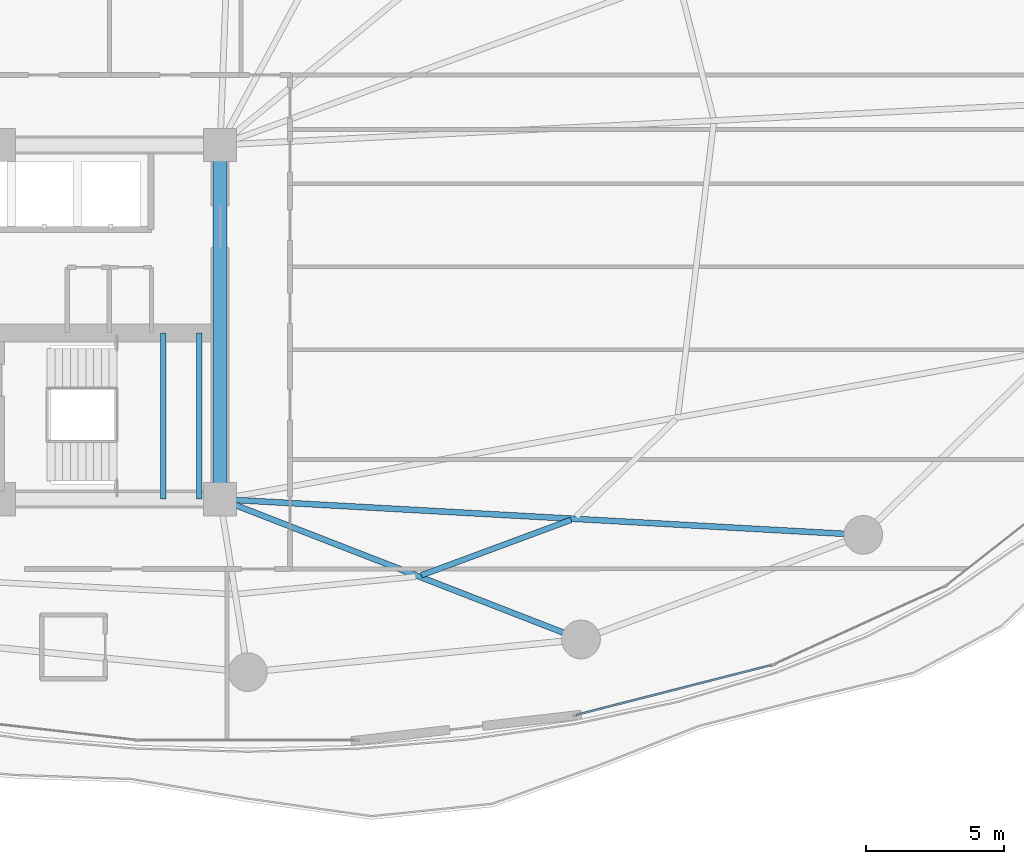
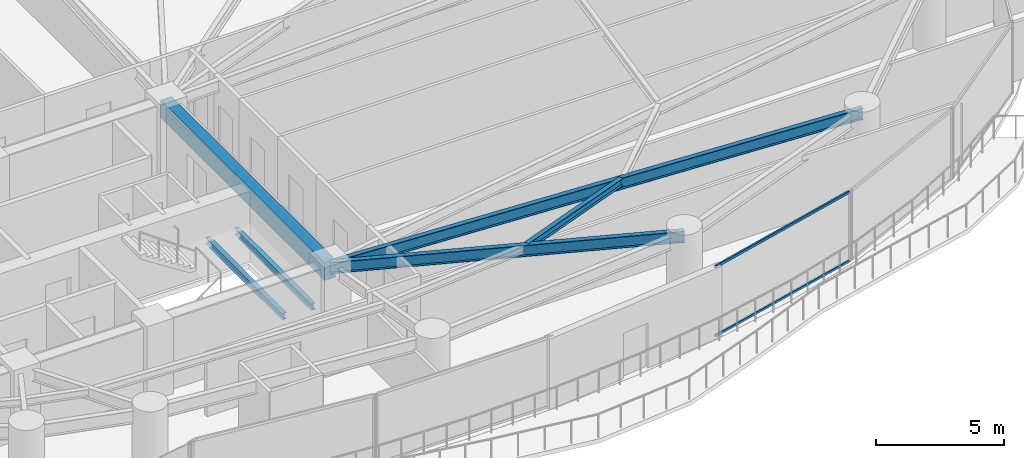
# One storey, part 12 of 33: 6 beams, 2 members, 1 element without a shape of its own.
"""IFC4 building model written with IfcOpenShell, lengths in metres."""

from ifc_helpers import new_model, si_unit, direction, frame, origin, origin_2d, place, context, subcontext, project, spatial, rectangle, hollow_rectangle, i_section, extrude, material, layer, layer_set, material_profile, profile_set, type_object, element, aggregate, save


model = new_model("IFC4")

# Units and contexts
model_context = context("Model", 3, precision=1e-05, world=origin(), true_north=direction((0.0, 1.0)))
body_context = subcontext(model_context, "Body", "Model", "MODEL_VIEW")
ifc_project = project(units=[si_unit("LENGTHUNIT", "METRE"), si_unit("AREAUNIT", "SQUARE_METRE"), si_unit("VOLUMEUNIT", "CUBIC_METRE"), si_unit("PLANEANGLEUNIT", "RADIAN"), si_unit("MASSUNIT", "GRAM", prefix="KILO")], contexts=[model_context])

# Site, building, storey
site_placement = place(None, origin())
site = spatial("IfcSite", under=ifc_project, at=site_placement, CompositionType="ELEMENT")
building_placement = place(site_placement, origin())
building = spatial("IfcBuilding", under=site, at=building_placement, Name="Kazevale Care Tower and Concert Hall", CompositionType="ELEMENT")
storey_placement = place(building_placement, frame((0.0, 0.0, 49.199951171875)))
storey = spatial("IfcBuildingStorey", under=building, at=storey_placement, Name="L12", CompositionType="ELEMENT", Elevation=49.199951171875)

# Curtain wall, members
ifc_material_1 = material(Name="Aluminium 6063-T6 and Low-E Glass", Category="aluminium")
ifc_layer = layer(ifc_material_1, 0.179931640625)
ifc_layer_set = layer_set([ifc_layer], Name="Aluminium 6063-T6 and Low-E Glass")
curtain_wall_type = type_object("IfcCurtainWallType", Name="Sheltered Concave Balcony Curtain Wall CW-5", PredefinedType="NOTDEFINED", material=ifc_layer_set)
curtain_wall_placement = place(storey_placement, origin())
curtain_wall = element("IfcCurtainWall", 1, at=curtain_wall_placement, inside=storey, type_object=curtain_wall_type, Name="cw:L12:f04", PredefinedType="NOTDEFINED")
ifc_material_2 = material(Name="Aluminium 6063-T6", Category="aluminium")
ifc_material_profile_1 = material_profile(ifc_material_2, hollow_rectangle(XDim=0.074951171875, YDim=0.1201171875, WallThickness=0.00390625, at=origin_2d()), Name="ALU75x120x4")
ifc_profile_set_1 = profile_set([ifc_material_profile_1], Name="Aluminium 6063-T6")
member_type = type_object("IfcMemberType", Name="CW-5 Transom ALU75x120x4", PredefinedType="USERDEFINED", material=ifc_profile_set_1)
member_1_placement = place(storey_placement, frame((63.915283203125, 17.599365234375, 0.03759765625), z_axis=(-0.968960816419, -0.24721435283, 0.0), x_axis=(0.24721435283, -0.968960816419, 0.0)))
member_1 = element("IfcMember", 2, at=member_1_placement, type_object=member_type, Name="CW-5 transom 1.1", ObjectType="TRANSOM", PredefinedType="USERDEFINED", context=body_context, shape_type="SweptSolid", body=[
    extrude(hollow_rectangle(XDim=0.074951171875, YDim=0.1201171875, WallThickness=0.00390625, at=origin_2d()), origin(), (0.0, 0.0, 1.0), 7.2763671875),
])
member_2_placement = place(storey_placement, frame((63.915283203125, 17.599365234375, 3.322509765625), z_axis=(-0.968960816419, -0.24721435283, 0.0), x_axis=(0.24721435283, -0.968960816419, 0.0)))
member_2 = element("IfcMember", 3, at=member_2_placement, type_object=member_type, Name="CW-5 transom 1.2", ObjectType="TRANSOM", PredefinedType="USERDEFINED", context=body_context, shape_type="SweptSolid", body=[
    extrude(hollow_rectangle(XDim=0.074951171875, YDim=0.1201171875, WallThickness=0.00390625, at=origin_2d()), origin(), (0.0, 0.0, 1.0), 7.2763671875),
])
aggregate(curtain_wall, [member_1, member_2])

# Beams
ifc_material_3 = material(Name="Concrete C60", Category="concrete")
ifc_material_profile_2 = material_profile(ifc_material_3, rectangle(XDim=0.5, YDim=0.85009765625, at=origin_2d()), Name="RC-B500x850")
ifc_profile_set_2 = profile_set([ifc_material_profile_2], Name="Concrete C60")
beam_type_1 = type_object("IfcBeamType", Name="Core Coupling Beam RC500x850", PredefinedType="LINTEL", material=ifc_profile_set_2)
beam_1_placement = place(storey_placement, frame((44.0, 23.60009765625, 2.93505859375), z_axis=(0.0, 1.0, 0.0), x_axis=(-1.0, 0.0, 0.0)))
element("IfcBeam", 4, at=beam_1_placement, inside=storey, type_object=beam_type_1, Name="beam:L12:coretie:4", PredefinedType="LINTEL", context=body_context, shape_type="SweptSolid", body=[
    extrude(rectangle(XDim=0.5, YDim=0.85009765625, at=origin_2d()), origin(), (0.0, 0.0, 1.0), 12.7998046875),
])
ifc_material_4 = material(Name="Steel ASTM A572 Gr 50", Category="steel")
ifc_material_profile_3 = material_profile(ifc_material_4, i_section(OverallWidth=0.2119140625, OverallDepth=0.5439453125, WebThickness=0.01318359375, FlangeThickness=0.021240234375, at=origin_2d()), Name="W530x123")
ifc_profile_set_3 = profile_set([ifc_material_profile_3], Name="Steel ASTM A572 Gr 50")
beam_type_2 = type_object("IfcBeamType", Name="Radial Floor Girder W530x123", PredefinedType="BEAM", material=ifc_profile_set_3)
beam_2_placement = place(storey_placement, frame((44.0, 23.60009765625, 3.088134765625), z_axis=(0.932030212407, -0.362380577792, 0.0), x_axis=(0.362380577792, 0.932030212407, 0.0)))
element("IfcBeam", 5, at=beam_2_placement, inside=storey, type_object=beam_type_2, Name="beam:L12:rad:14", PredefinedType="BEAM", context=body_context, shape_type="SweptSolid", body=[
    extrude(i_section(OverallWidth=0.2119140625, OverallDepth=0.5439453125, WebThickness=0.01318359375, FlangeThickness=0.021240234375, at=origin_2d()), origin(), (0.0, 0.0, 1.0), 13.990966796875),
])
beam_3_placement = place(storey_placement, frame((44.0, 23.60009765625, 3.088134765625), z_axis=(0.998462901796, -0.055424125948, 0.0), x_axis=(0.055424125948, 0.998462901796, 0.0)))
element("IfcBeam", 6, at=beam_3_placement, inside=storey, type_object=beam_type_2, Name="beam:L12:rad:15", PredefinedType="BEAM", context=body_context, shape_type="SweptSolid", body=[
    extrude(i_section(OverallWidth=0.2119140625, OverallDepth=0.5439453125, WebThickness=0.01318359375, FlangeThickness=0.021240234375, at=origin_2d()), origin(), (0.0, 0.0, 1.0), 23.27587890625),
])
ifc_material_profile_4 = material_profile(ifc_material_4, i_section(OverallWidth=0.205078125, OverallDepth=0.35400390625, WebThickness=0.009521484375, FlangeThickness=0.016845703125, at=origin_2d()), Name="W360x79")
ifc_profile_set_4 = profile_set([ifc_material_profile_4], Name="Steel ASTM A572 Gr 50")
beam_type_3 = type_object("IfcBeamType", Name="Secondary Floor Joist W360x79", PredefinedType="JOIST", material=ifc_profile_set_4)
beam_4_placement = place(storey_placement, frame((51.27001953125, 20.847900390625, 3.18310546875), z_axis=(0.937698254396, 0.347450692477, 0.0), x_axis=(-0.347450692477, 0.937698254396, 0.0)))
element("IfcBeam", 7, at=beam_4_placement, inside=storey, type_object=beam_type_3, Name="beam:L12:joist:14", PredefinedType="JOIST", context=body_context, shape_type="SweptSolid", body=[
    extrude(i_section(OverallWidth=0.205078125, OverallDepth=0.35400390625, WebThickness=0.009521484375, FlangeThickness=0.016845703125, at=origin_2d()), origin(), (0.0, 0.0, 1.0), 5.773681640625),
])
ifc_material_profile_5 = material_profile(ifc_material_4, i_section(OverallWidth=0.202880859375, OverallDepth=0.302978515625, WebThickness=0.007568359375, FlangeThickness=0.01318359375, at=origin_2d()), Name="W310x60")
ifc_profile_set_5 = profile_set([ifc_material_profile_5], Name="Steel ASTM A572 Gr 50")
beam_type_4 = type_object("IfcBeamType", Name="Stair & Balcony Trimmer W310x60", PredefinedType="BEAM", material=ifc_profile_set_5)
for number, where, z_axis, x_axis, name in (
    (8, (41.949951171875, 23.60009765625, 1.448486328125), (0.0, 1.0, 0.0), (-1.0, 0.0, 0.0), "beam:L12:sttrim:ST2"),
    (9, (43.25, 23.60009765625, 1.448486328125), (0.0, 1.0, 0.0), (-1.0, 0.0, 0.0), "beam:L12:sttrim:ST2b"),
):
    element("IfcBeam", number, at=place(storey_placement, frame(where, z_axis=z_axis, x_axis=x_axis)), inside=storey, type_object=beam_type_4, Name=name, PredefinedType="BEAM", context=body_context, shape_type="SweptSolid", body=[
        extrude(i_section(OverallWidth=0.202880859375, OverallDepth=0.302978515625, WebThickness=0.007568359375, FlangeThickness=0.01318359375, at=origin_2d()), origin(), (0.0, 0.0, 1.0), 6.0),
    ])

save(model, "model.ifc")
